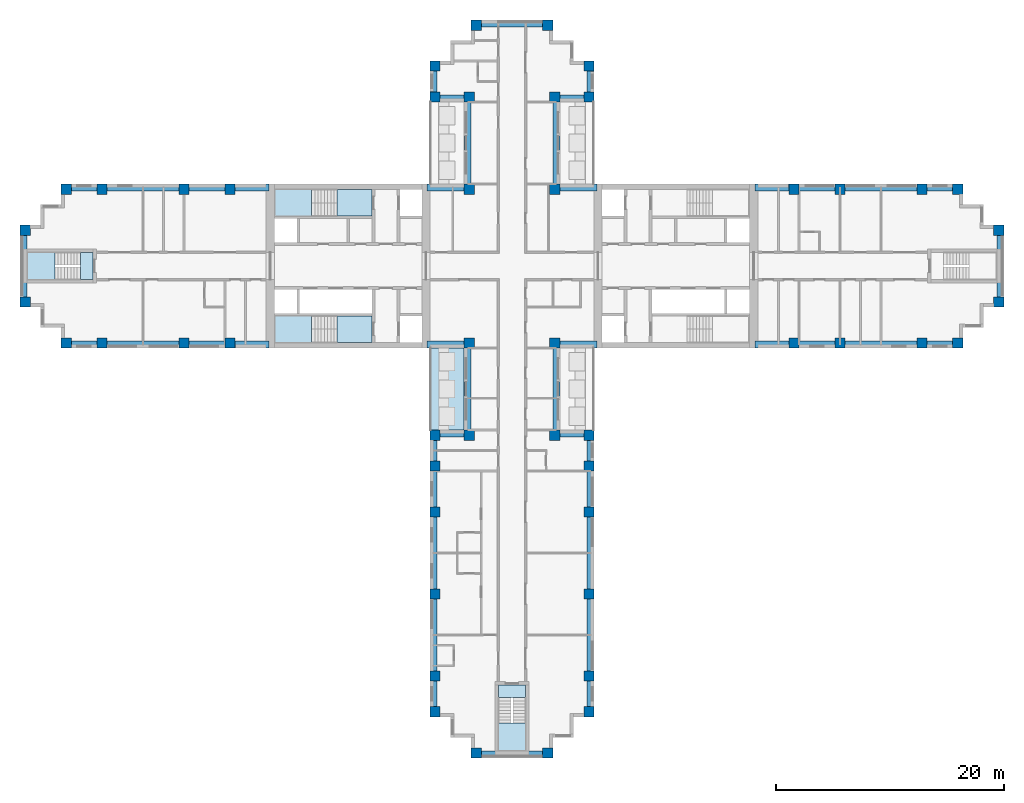
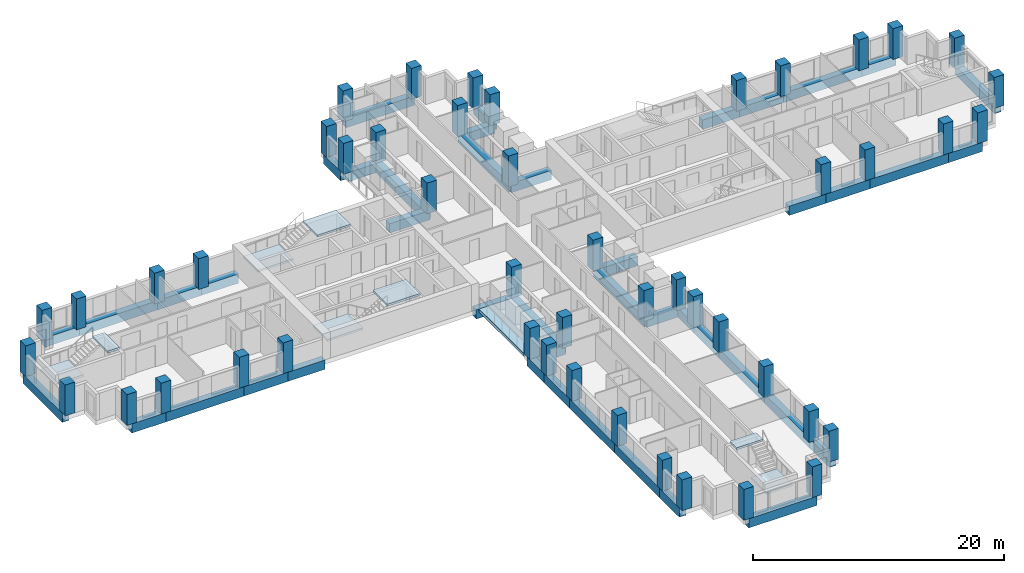
# One storey, part 1 of 13: 48 columns, 44 beams, 9 slabs, 4 elements without a shape of their own.
"""IFC4 building model written with IfcOpenShell, lengths in metres."""

from ifc_helpers import new_model, si_unit, direction, frame, origin, origin_2d, place, context, subcontext, project, spatial, polyline, rectangle, outline, extrude, material, layer, layer_set, material_profile, profile_set, type_object, element, aggregate, save


model = new_model("IFC4")

# Units and contexts
model_context = context("Model", 3, precision=1e-05, world=origin(), true_north=direction((0.0, 1.0)))
body_context = subcontext(model_context, "Body", "Model", "MODEL_VIEW")
ifc_project = project(units=[si_unit("LENGTHUNIT", "METRE"), si_unit("AREAUNIT", "SQUARE_METRE"), si_unit("VOLUMEUNIT", "CUBIC_METRE"), si_unit("PLANEANGLEUNIT", "RADIAN"), si_unit("MASSUNIT", "GRAM", prefix="KILO")], contexts=[model_context])

# Site, building, storey
site_placement = place(None, origin())
site = spatial("IfcSite", under=ifc_project, at=site_placement, CompositionType="ELEMENT")
building_placement = place(site_placement, origin())
building = spatial("IfcBuilding", under=site, at=building_placement, Name="Fustian Cross Tower", CompositionType="ELEMENT")
storey_placement = place(building_placement, frame((0.0, 0.0, 75.89990234375)))
storey = spatial("IfcBuildingStorey", under=building, at=storey_placement, Name="L23", CompositionType="ELEMENT", Elevation=75.89990234375)

# Columns
ifc_material_1 = material(Name="Concrete C60/75", Category="concrete")
ifc_material_profile_1 = material_profile(ifc_material_1, rectangle(XDim=0.89990234375, YDim=0.89990234375, at=origin_2d()), Name="RC 900x900")
ifc_profile_set_1 = profile_set([ifc_material_profile_1], Name="Concrete C60/75")
column_type = type_object("IfcColumnType", Name="COLUMN RC 900x900 C60/75", PredefinedType="COLUMN", material=ifc_profile_set_1)
for number, where, z_axis, x_axis, name in (
    (1, (-42.75, -3.14990234375, 0.0), (0.0, 0.0, 1.0), (1.0, 0.0, 0.0), "COLUMN 001"),
    (2, (-42.75, 3.14990234375, 0.0), (0.0, 0.0, 1.0), (1.0, 0.0, 0.0), "COLUMN 002"),
    (3, (-39.14990234375, -6.75, 0.0), (0.0, 0.0, 1.0), (1.0, 0.0, 0.0), "COLUMN 003"),
    (4, (-39.14990234375, 6.75, 0.0), (0.0, 0.0, 1.0), (1.0, 0.0, 0.0), "COLUMN 004"),
    (5, (-36.0, -6.75, 0.0), (0.0, 0.0, 1.0), (1.0, 0.0, 0.0), "COLUMN 005"),
    (6, (-36.0, 6.75, 0.0), (0.0, 0.0, 1.0), (1.0, 0.0, 0.0), "COLUMN 006"),
    (7, (-28.800048828125, -6.75, 0.0), (0.0, 0.0, 1.0), (1.0, 0.0, 0.0), "COLUMN 007"),
    (8, (-28.800048828125, 6.75, 0.0), (0.0, 0.0, 1.0), (1.0, 0.0, 0.0), "COLUMN 010"),
    (9, (-24.75, -6.75, 0.0), (0.0, 0.0, 1.0), (1.0, 0.0, 0.0), "COLUMN 011"),
    (10, (-24.75, 6.75, 0.0), (0.0, 0.0, 1.0), (1.0, 0.0, 0.0), "COLUMN 012"),
    (11, (-6.75, -39.14990234375, 0.0), (0.0, 0.0, 1.0), (1.0, 0.0, 0.0), "COLUMN 013"),
    (12, (-6.75, -36.0, 0.0), (0.0, 0.0, 1.0), (1.0, 0.0, 0.0), "COLUMN 014"),
    (13, (-6.75, -28.800048828125, 0.0), (0.0, 0.0, 1.0), (1.0, 0.0, 0.0), "COLUMN 015"),
    (14, (-6.75, -21.60009765625, 0.0), (0.0, 0.0, 1.0), (1.0, 0.0, 0.0), "COLUMN 016"),
    (15, (-6.75, -17.550048828125, 0.0), (0.0, 0.0, 1.0), (1.0, 0.0, 0.0), "COLUMN 017"),
    (16, (-6.75, -14.85009765625, 0.0), (0.0, 0.0, 1.0), (1.0, 0.0, 0.0), "COLUMN 018"),
    (17, (-6.75, 14.85009765625, 0.0), (0.0, 0.0, 1.0), (1.0, 0.0, 0.0), "COLUMN 019"),
    (18, (-6.75, 17.550048828125, 0.0), (0.0, 0.0, 1.0), (1.0, 0.0, 0.0), "COLUMN 020"),
    (19, (-3.75, -14.85009765625, 0.0), (0.0, 0.0, 1.0), (1.0, 0.0, 0.0), "COLUMN 025"),
    (20, (-3.75, -6.75, 0.0), (0.0, 0.0, 1.0), (1.0, 0.0, 0.0), "COLUMN 026"),
    (21, (-3.75, 6.75, 0.0), (0.0, 0.0, 1.0), (1.0, 0.0, 0.0), "COLUMN 027"),
    (22, (-3.75, 14.85009765625, 0.0), (0.0, 0.0, 1.0), (1.0, 0.0, 0.0), "COLUMN 028"),
    (23, (-3.14990234375, -42.75, 0.0), (0.0, 0.0, 1.0), (1.0, 0.0, 0.0), "COLUMN 029"),
    (24, (-3.14990234375, 21.14990234375, 0.0), (0.0, 0.0, 1.0), (1.0, 0.0, 0.0), "COLUMN 031"),
    (25, (3.14990234375, -42.75, 0.0), (0.0, 0.0, 1.0), (1.0, 0.0, 0.0), "COLUMN 033"),
    (26, (3.14990234375, 21.14990234375, 0.0), (0.0, 0.0, 1.0), (1.0, 0.0, 0.0), "COLUMN 035"),
    (27, (3.75, -14.85009765625, 0.0), (0.0, 0.0, 1.0), (1.0, 0.0, 0.0), "COLUMN 037"),
    (28, (3.75, -6.75, 0.0), (0.0, 0.0, 1.0), (1.0, 0.0, 0.0), "COLUMN 038"),
    (29, (3.75, 6.75, 0.0), (0.0, 0.0, 1.0), (1.0, 0.0, 0.0), "COLUMN 039"),
    (30, (3.75, 14.85009765625, 0.0), (0.0, 0.0, 1.0), (1.0, 0.0, 0.0), "COLUMN 040"),
    (31, (6.75, -39.14990234375, 0.0), (0.0, 0.0, 1.0), (1.0, 0.0, 0.0), "COLUMN 041"),
    (32, (6.75, -36.0, 0.0), (0.0, 0.0, 1.0), (1.0, 0.0, 0.0), "COLUMN 042"),
    (33, (6.75, -28.800048828125, 0.0), (0.0, 0.0, 1.0), (1.0, 0.0, 0.0), "COLUMN 043"),
    (34, (6.75, -21.60009765625, 0.0), (0.0, 0.0, 1.0), (1.0, 0.0, 0.0), "COLUMN 044"),
    (35, (6.75, -17.550048828125, 0.0), (0.0, 0.0, 1.0), (1.0, 0.0, 0.0), "COLUMN 045"),
    (36, (6.75, -14.85009765625, 0.0), (0.0, 0.0, 1.0), (1.0, 0.0, 0.0), "COLUMN 046"),
    (37, (6.75, 14.85009765625, 0.0), (0.0, 0.0, 1.0), (1.0, 0.0, 0.0), "COLUMN 047"),
    (38, (6.75, 17.550048828125, 0.0), (0.0, 0.0, 1.0), (1.0, 0.0, 0.0), "COLUMN 048"),
    (39, (24.75, -6.75, 0.0), (0.0, 0.0, 1.0), (1.0, 0.0, 0.0), "COLUMN 053"),
    (40, (24.75, 6.75, 0.0), (0.0, 0.0, 1.0), (1.0, 0.0, 0.0), "COLUMN 054"),
    (41, (28.800048828125, -6.75, 0.0), (0.0, 0.0, 1.0), (1.0, 0.0, 0.0), "COLUMN 055"),
    (42, (28.800048828125, 6.75, 0.0), (0.0, 0.0, 1.0), (1.0, 0.0, 0.0), "COLUMN 058"),
    (43, (36.0, -6.75, 0.0), (0.0, 0.0, 1.0), (1.0, 0.0, 0.0), "COLUMN 059"),
    (44, (36.0, 6.75, 0.0), (0.0, 0.0, 1.0), (1.0, 0.0, 0.0), "COLUMN 060"),
    (45, (39.14990234375, -6.75, 0.0), (0.0, 0.0, 1.0), (1.0, 0.0, 0.0), "COLUMN 061"),
    (46, (39.14990234375, 6.75, 0.0), (0.0, 0.0, 1.0), (1.0, 0.0, 0.0), "COLUMN 062"),
    (47, (42.75, -3.14990234375, 0.0), (0.0, 0.0, 1.0), (1.0, 0.0, 0.0), "COLUMN 063"),
    (48, (42.75, 3.14990234375, 0.0), (0.0, 0.0, 1.0), (1.0, 0.0, 0.0), "COLUMN 064"),
):
    element("IfcColumn", number, at=place(storey_placement, frame(where, z_axis=z_axis, x_axis=x_axis)), inside=storey, type_object=column_type, Name=name, PredefinedType="COLUMN", context=body_context, shape_type="SweptSolid", body=[
        extrude(rectangle(XDim=0.89990234375, YDim=0.89990234375, at=origin_2d()), origin(), (0.0, 0.0, 1.0), 3.0),
    ])

# Beams
ifc_material_2 = material(Name="Concrete C50/60", Category="concrete")
ifc_material_profile_2 = material_profile(ifc_material_2, rectangle(XDim=0.60009765625, YDim=0.89990234375, at=origin_2d()), Name="RC 600x900")
ifc_profile_set_2 = profile_set([ifc_material_profile_2], Name="Concrete C50/60")
beam_type = type_object("IfcBeamType", Name="EDGE BEAM RC 600x900 C50/60", PredefinedType="SPANDREL", material=ifc_profile_set_2)
beam_1_placement = place(storey_placement, frame((21.35009765625, -6.89990234375, -0.449951171875), z_axis=(1.0, 0.0, 0.0), x_axis=(0.0, 1.0, 0.0)))
element("IfcBeam", 49, at=beam_1_placement, inside=storey, type_object=beam_type, Name="EDGE BEAM L23-01", PredefinedType="SPANDREL", context=body_context, shape_type="SweptSolid", body=[
    extrude(rectangle(XDim=0.60009765625, YDim=0.89990234375, at=origin_2d()), origin(), (0.0, 0.0, 1.0), 3.39990234375),
])
beam_2_placement = place(storey_placement, frame((24.75, -6.89990234375, -0.449951171875), z_axis=(1.0, 0.0, 0.0), x_axis=(0.0, 1.0, 0.0)))
element("IfcBeam", 50, at=beam_2_placement, inside=storey, type_object=beam_type, Name="EDGE BEAM L23-02", PredefinedType="SPANDREL", context=body_context, shape_type="SweptSolid", body=[
    extrude(rectangle(XDim=0.60009765625, YDim=0.89990234375, at=origin_2d()), origin(), (0.0, 0.0, 1.0), 4.050048828125),
])
beam_3_placement = place(storey_placement, frame((28.800048828125, -6.89990234375, -0.449951171875), z_axis=(1.0, 0.0, 0.0), x_axis=(0.0, 1.0, 0.0)))
element("IfcBeam", 51, at=beam_3_placement, inside=storey, type_object=beam_type, Name="EDGE BEAM L23-03", PredefinedType="SPANDREL", context=body_context, shape_type="SweptSolid", body=[
    extrude(rectangle(XDim=0.60009765625, YDim=0.89990234375, at=origin_2d()), origin(), (0.0, 0.0, 1.0), 7.199951171875),
])
beam_4_placement = place(storey_placement, frame((36.0, -6.89990234375, -0.449951171875), z_axis=(1.0, 0.0, 0.0), x_axis=(0.0, 1.0, 0.0)))
element("IfcBeam", 52, at=beam_4_placement, inside=storey, type_object=beam_type, Name="EDGE BEAM L23-04", PredefinedType="SPANDREL", context=body_context, shape_type="SweptSolid", body=[
    extrude(rectangle(XDim=0.60009765625, YDim=0.89990234375, at=origin_2d()), origin(), (0.0, 0.0, 1.0), 3.14990234375),
])
beam_5_placement = place(storey_placement, frame((42.89990234375, -3.14990234375, -0.449951171875), z_axis=(0.0, 1.0, 0.0), x_axis=(-1.0, 0.0, 0.0)))
element("IfcBeam", 53, at=beam_5_placement, inside=storey, type_object=beam_type, Name="EDGE BEAM L23-05", PredefinedType="SPANDREL", context=body_context, shape_type="SweptSolid", body=[
    extrude(rectangle(XDim=0.60009765625, YDim=0.89990234375, at=origin_2d()), origin(), (0.0, 0.0, 1.0), 6.2998046875),
])
beam_6_placement = place(storey_placement, frame((39.14990234375, 6.89990234375, -0.449951171875), z_axis=(-1.0, 0.0, 0.0), x_axis=(0.0, -1.0, 0.0)))
element("IfcBeam", 54, at=beam_6_placement, inside=storey, type_object=beam_type, Name="EDGE BEAM L23-06", PredefinedType="SPANDREL", context=body_context, shape_type="SweptSolid", body=[
    extrude(rectangle(XDim=0.60009765625, YDim=0.89990234375, at=origin_2d()), origin(), (0.0, 0.0, 1.0), 3.14990234375),
])
beam_7_placement = place(storey_placement, frame((36.0, 6.89990234375, -0.449951171875), z_axis=(-1.0, 0.0, 0.0), x_axis=(0.0, -1.0, 0.0)))
element("IfcBeam", 55, at=beam_7_placement, inside=storey, type_object=beam_type, Name="EDGE BEAM L23-07", PredefinedType="SPANDREL", context=body_context, shape_type="SweptSolid", body=[
    extrude(rectangle(XDim=0.60009765625, YDim=0.89990234375, at=origin_2d()), origin(), (0.0, 0.0, 1.0), 7.199951171875),
])
beam_8_placement = place(storey_placement, frame((28.800048828125, 6.89990234375, -0.449951171875), z_axis=(-1.0, 0.0, 0.0), x_axis=(0.0, -1.0, 0.0)))
element("IfcBeam", 56, at=beam_8_placement, inside=storey, type_object=beam_type, Name="EDGE BEAM L23-08", PredefinedType="SPANDREL", context=body_context, shape_type="SweptSolid", body=[
    extrude(rectangle(XDim=0.60009765625, YDim=0.89990234375, at=origin_2d()), origin(), (0.0, 0.0, 1.0), 4.050048828125),
])
beam_9_placement = place(storey_placement, frame((24.75, 6.89990234375, -0.449951171875), z_axis=(-1.0, 0.0, 0.0), x_axis=(0.0, -1.0, 0.0)))
element("IfcBeam", 57, at=beam_9_placement, inside=storey, type_object=beam_type, Name="EDGE BEAM L23-09", PredefinedType="SPANDREL", context=body_context, shape_type="SweptSolid", body=[
    extrude(rectangle(XDim=0.60009765625, YDim=0.89990234375, at=origin_2d()), origin(), (0.0, 0.0, 1.0), 3.39990234375),
])
beam_10_placement = place(storey_placement, frame((7.449951171875, 6.89990234375, -0.449951171875), z_axis=(-1.0, 0.0, 0.0), x_axis=(0.0, -1.0, 0.0)))
element("IfcBeam", 58, at=beam_10_placement, inside=storey, type_object=beam_type, Name="EDGE BEAM L23-10", PredefinedType="SPANDREL", context=body_context, shape_type="SweptSolid", body=[
    extrude(rectangle(XDim=0.60009765625, YDim=0.89990234375, at=origin_2d()), origin(), (0.0, 0.0, 1.0), 3.699951171875),
])
beam_11_placement = place(storey_placement, frame((3.89990234375, 6.75, -0.449951171875), z_axis=(0.0, 1.0, 0.0), x_axis=(-1.0, 0.0, 0.0)))
element("IfcBeam", 59, at=beam_11_placement, inside=storey, type_object=beam_type, Name="EDGE BEAM L23-11", PredefinedType="SPANDREL", context=body_context, shape_type="SweptSolid", body=[
    extrude(rectangle(XDim=0.60009765625, YDim=0.89990234375, at=origin_2d()), origin(), (0.0, 0.0, 1.0), 8.10009765625),
])
beam_12_placement = place(storey_placement, frame((3.75, 14.699951171875, -0.449951171875), z_axis=(1.0, 0.0, 0.0), x_axis=(0.0, 1.0, 0.0)))
element("IfcBeam", 60, at=beam_12_placement, inside=storey, type_object=beam_type, Name="EDGE BEAM L23-12", PredefinedType="SPANDREL", context=body_context, shape_type="SweptSolid", body=[
    extrude(rectangle(XDim=0.60009765625, YDim=0.89990234375, at=origin_2d()), origin(), (0.0, 0.0, 1.0), 3.0),
])
beam_13_placement = place(storey_placement, frame((6.89990234375, 14.85009765625, -0.449951171875), z_axis=(0.0, 1.0, 0.0), x_axis=(-1.0, 0.0, 0.0)))
element("IfcBeam", 61, at=beam_13_placement, inside=storey, type_object=beam_type, Name="EDGE BEAM L23-13", PredefinedType="SPANDREL", context=body_context, shape_type="SweptSolid", body=[
    extrude(rectangle(XDim=0.60009765625, YDim=0.89990234375, at=origin_2d()), origin(), (0.0, 0.0, 1.0), 2.699951171875),
])
beam_14_placement = place(storey_placement, frame((3.14990234375, 21.300048828125, -0.449951171875), z_axis=(-1.0, 0.0, 0.0), x_axis=(0.0, -1.0, 0.0)))
element("IfcBeam", 62, at=beam_14_placement, inside=storey, type_object=beam_type, Name="EDGE BEAM L23-14", PredefinedType="SPANDREL", context=body_context, shape_type="SweptSolid", body=[
    extrude(rectangle(XDim=0.60009765625, YDim=0.89990234375, at=origin_2d()), origin(), (0.0, 0.0, 1.0), 6.2998046875),
])
beam_15_placement = place(storey_placement, frame((-6.89990234375, 17.550048828125, -0.449951171875), z_axis=(0.0, -1.0, 0.0), x_axis=(1.0, 0.0, 0.0)))
element("IfcBeam", 63, at=beam_15_placement, inside=storey, type_object=beam_type, Name="EDGE BEAM L23-15", PredefinedType="SPANDREL", context=body_context, shape_type="SweptSolid", body=[
    extrude(rectangle(XDim=0.60009765625, YDim=0.89990234375, at=origin_2d()), origin(), (0.0, 0.0, 1.0), 2.699951171875),
])
beam_16_placement = place(storey_placement, frame((-6.75, 14.699951171875, -0.449951171875), z_axis=(1.0, 0.0, 0.0), x_axis=(0.0, 1.0, 0.0)))
element("IfcBeam", 64, at=beam_16_placement, inside=storey, type_object=beam_type, Name="EDGE BEAM L23-16", PredefinedType="SPANDREL", context=body_context, shape_type="SweptSolid", body=[
    extrude(rectangle(XDim=0.60009765625, YDim=0.89990234375, at=origin_2d()), origin(), (0.0, 0.0, 1.0), 3.0),
])
beam_17_placement = place(storey_placement, frame((-3.89990234375, 14.85009765625, -0.449951171875), z_axis=(0.0, -1.0, 0.0), x_axis=(1.0, 0.0, 0.0)))
element("IfcBeam", 65, at=beam_17_placement, inside=storey, type_object=beam_type, Name="EDGE BEAM L23-17", PredefinedType="SPANDREL", context=body_context, shape_type="SweptSolid", body=[
    extrude(rectangle(XDim=0.60009765625, YDim=0.89990234375, at=origin_2d()), origin(), (0.0, 0.0, 1.0), 8.10009765625),
])
beam_18_placement = place(storey_placement, frame((-3.75, 6.89990234375, -0.449951171875), z_axis=(-1.0, 0.0, 0.0), x_axis=(0.0, -1.0, 0.0)))
element("IfcBeam", 66, at=beam_18_placement, inside=storey, type_object=beam_type, Name="EDGE BEAM L23-18", PredefinedType="SPANDREL", context=body_context, shape_type="SweptSolid", body=[
    extrude(rectangle(XDim=0.60009765625, YDim=0.89990234375, at=origin_2d()), origin(), (0.0, 0.0, 1.0), 3.699951171875),
])
beam_19_placement = place(storey_placement, frame((-21.35009765625, 6.89990234375, -0.449951171875), z_axis=(-1.0, 0.0, 0.0), x_axis=(0.0, -1.0, 0.0)))
element("IfcBeam", 67, at=beam_19_placement, inside=storey, type_object=beam_type, Name="EDGE BEAM L23-19", PredefinedType="SPANDREL", context=body_context, shape_type="SweptSolid", body=[
    extrude(rectangle(XDim=0.60009765625, YDim=0.89990234375, at=origin_2d()), origin(), (0.0, 0.0, 1.0), 3.39990234375),
])
beam_20_placement = place(storey_placement, frame((-24.75, 6.89990234375, -0.449951171875), z_axis=(-1.0, 0.0, 0.0), x_axis=(0.0, -1.0, 0.0)))
element("IfcBeam", 68, at=beam_20_placement, inside=storey, type_object=beam_type, Name="EDGE BEAM L23-20", PredefinedType="SPANDREL", context=body_context, shape_type="SweptSolid", body=[
    extrude(rectangle(XDim=0.60009765625, YDim=0.89990234375, at=origin_2d()), origin(), (0.0, 0.0, 1.0), 4.050048828125),
])
beam_21_placement = place(storey_placement, frame((-28.800048828125, 6.89990234375, -0.449951171875), z_axis=(-1.0, 0.0, 0.0), x_axis=(0.0, -1.0, 0.0)))
element("IfcBeam", 69, at=beam_21_placement, inside=storey, type_object=beam_type, Name="EDGE BEAM L23-21", PredefinedType="SPANDREL", context=body_context, shape_type="SweptSolid", body=[
    extrude(rectangle(XDim=0.60009765625, YDim=0.89990234375, at=origin_2d()), origin(), (0.0, 0.0, 1.0), 7.199951171875),
])
beam_22_placement = place(storey_placement, frame((-36.0, 6.89990234375, -0.449951171875), z_axis=(-1.0, 0.0, 0.0), x_axis=(0.0, -1.0, 0.0)))
element("IfcBeam", 70, at=beam_22_placement, inside=storey, type_object=beam_type, Name="EDGE BEAM L23-22", PredefinedType="SPANDREL", context=body_context, shape_type="SweptSolid", body=[
    extrude(rectangle(XDim=0.60009765625, YDim=0.89990234375, at=origin_2d()), origin(), (0.0, 0.0, 1.0), 3.14990234375),
])
beam_23_placement = place(storey_placement, frame((-42.89990234375, 3.14990234375, -0.449951171875), z_axis=(0.0, -1.0, 0.0), x_axis=(1.0, 0.0, 0.0)))
element("IfcBeam", 71, at=beam_23_placement, inside=storey, type_object=beam_type, Name="EDGE BEAM L23-23", PredefinedType="SPANDREL", context=body_context, shape_type="SweptSolid", body=[
    extrude(rectangle(XDim=0.60009765625, YDim=0.89990234375, at=origin_2d()), origin(), (0.0, 0.0, 1.0), 6.2998046875),
])
beam_24_placement = place(storey_placement, frame((-39.14990234375, -6.89990234375, -0.449951171875), z_axis=(1.0, 0.0, 0.0), x_axis=(0.0, 1.0, 0.0)))
element("IfcBeam", 72, at=beam_24_placement, inside=storey, type_object=beam_type, Name="EDGE BEAM L23-24", PredefinedType="SPANDREL", context=body_context, shape_type="SweptSolid", body=[
    extrude(rectangle(XDim=0.60009765625, YDim=0.89990234375, at=origin_2d()), origin(), (0.0, 0.0, 1.0), 3.14990234375),
])
beam_25_placement = place(storey_placement, frame((-36.0, -6.89990234375, -0.449951171875), z_axis=(1.0, 0.0, 0.0), x_axis=(0.0, 1.0, 0.0)))
element("IfcBeam", 73, at=beam_25_placement, inside=storey, type_object=beam_type, Name="EDGE BEAM L23-25", PredefinedType="SPANDREL", context=body_context, shape_type="SweptSolid", body=[
    extrude(rectangle(XDim=0.60009765625, YDim=0.89990234375, at=origin_2d()), origin(), (0.0, 0.0, 1.0), 7.199951171875),
])
beam_26_placement = place(storey_placement, frame((-28.800048828125, -6.89990234375, -0.449951171875), z_axis=(1.0, 0.0, 0.0), x_axis=(0.0, 1.0, 0.0)))
element("IfcBeam", 74, at=beam_26_placement, inside=storey, type_object=beam_type, Name="EDGE BEAM L23-26", PredefinedType="SPANDREL", context=body_context, shape_type="SweptSolid", body=[
    extrude(rectangle(XDim=0.60009765625, YDim=0.89990234375, at=origin_2d()), origin(), (0.0, 0.0, 1.0), 4.050048828125),
])
beam_27_placement = place(storey_placement, frame((-24.75, -6.89990234375, -0.449951171875), z_axis=(1.0, 0.0, 0.0), x_axis=(0.0, 1.0, 0.0)))
element("IfcBeam", 75, at=beam_27_placement, inside=storey, type_object=beam_type, Name="EDGE BEAM L23-27", PredefinedType="SPANDREL", context=body_context, shape_type="SweptSolid", body=[
    extrude(rectangle(XDim=0.60009765625, YDim=0.89990234375, at=origin_2d()), origin(), (0.0, 0.0, 1.0), 3.39990234375),
])
beam_28_placement = place(storey_placement, frame((-7.449951171875, -6.89990234375, -0.449951171875), z_axis=(1.0, 0.0, 0.0), x_axis=(0.0, 1.0, 0.0)))
element("IfcBeam", 76, at=beam_28_placement, inside=storey, type_object=beam_type, Name="EDGE BEAM L23-28", PredefinedType="SPANDREL", context=body_context, shape_type="SweptSolid", body=[
    extrude(rectangle(XDim=0.60009765625, YDim=0.89990234375, at=origin_2d()), origin(), (0.0, 0.0, 1.0), 3.699951171875),
])
beam_29_placement = place(storey_placement, frame((-3.89990234375, -6.75, -0.449951171875), z_axis=(0.0, -1.0, 0.0), x_axis=(1.0, 0.0, 0.0)))
element("IfcBeam", 77, at=beam_29_placement, inside=storey, type_object=beam_type, Name="EDGE BEAM L23-29", PredefinedType="SPANDREL", context=body_context, shape_type="SweptSolid", body=[
    extrude(rectangle(XDim=0.60009765625, YDim=0.89990234375, at=origin_2d()), origin(), (0.0, 0.0, 1.0), 8.10009765625),
])
beam_30_placement = place(storey_placement, frame((-3.75, -14.699951171875, -0.449951171875), z_axis=(-1.0, 0.0, 0.0), x_axis=(0.0, -1.0, 0.0)))
element("IfcBeam", 78, at=beam_30_placement, inside=storey, type_object=beam_type, Name="EDGE BEAM L23-30", PredefinedType="SPANDREL", context=body_context, shape_type="SweptSolid", body=[
    extrude(rectangle(XDim=0.60009765625, YDim=0.89990234375, at=origin_2d()), origin(), (0.0, 0.0, 1.0), 3.0),
])
beam_31_placement = place(storey_placement, frame((-6.89990234375, -14.85009765625, -0.449951171875), z_axis=(0.0, -1.0, 0.0), x_axis=(1.0, 0.0, 0.0)))
element("IfcBeam", 79, at=beam_31_placement, inside=storey, type_object=beam_type, Name="EDGE BEAM L23-31", PredefinedType="SPANDREL", context=body_context, shape_type="SweptSolid", body=[
    extrude(rectangle(XDim=0.60009765625, YDim=0.89990234375, at=origin_2d()), origin(), (0.0, 0.0, 1.0), 2.699951171875),
])
beam_32_placement = place(storey_placement, frame((-6.89990234375, -17.550048828125, -0.449951171875), z_axis=(0.0, -1.0, 0.0), x_axis=(1.0, 0.0, 0.0)))
element("IfcBeam", 80, at=beam_32_placement, inside=storey, type_object=beam_type, Name="EDGE BEAM L23-32", PredefinedType="SPANDREL", context=body_context, shape_type="SweptSolid", body=[
    extrude(rectangle(XDim=0.60009765625, YDim=0.89990234375, at=origin_2d()), origin(), (0.0, 0.0, 1.0), 4.050048828125),
])
for number, where, z_axis, x_axis, name in (
    (81, (-6.89990234375, -21.60009765625, -0.449951171875), (0.0, -1.0, 0.0), (1.0, 0.0, 0.0), "EDGE BEAM L23-33"),
    (82, (-6.89990234375, -28.800048828125, -0.449951171875), (0.0, -1.0, 0.0), (1.0, 0.0, 0.0), "EDGE BEAM L23-34"),
):
    element("IfcBeam", number, at=place(storey_placement, frame(where, z_axis=z_axis, x_axis=x_axis)), inside=storey, type_object=beam_type, Name=name, PredefinedType="SPANDREL", context=body_context, shape_type="SweptSolid", body=[
        extrude(rectangle(XDim=0.60009765625, YDim=0.89990234375, at=origin_2d()), origin(), (0.0, 0.0, 1.0), 7.199951171875),
    ])
beam_33_placement = place(storey_placement, frame((-6.89990234375, -36.0, -0.449951171875), z_axis=(0.0, -1.0, 0.0), x_axis=(1.0, 0.0, 0.0)))
element("IfcBeam", 83, at=beam_33_placement, inside=storey, type_object=beam_type, Name="EDGE BEAM L23-35", PredefinedType="SPANDREL", context=body_context, shape_type="SweptSolid", body=[
    extrude(rectangle(XDim=0.60009765625, YDim=0.89990234375, at=origin_2d()), origin(), (0.0, 0.0, 1.0), 3.14990234375),
])
beam_34_placement = place(storey_placement, frame((-3.14990234375, -42.89990234375, -0.449951171875), z_axis=(1.0, 0.0, 0.0), x_axis=(0.0, 1.0, 0.0)))
element("IfcBeam", 84, at=beam_34_placement, inside=storey, type_object=beam_type, Name="EDGE BEAM L23-36", PredefinedType="SPANDREL", context=body_context, shape_type="SweptSolid", body=[
    extrude(rectangle(XDim=0.60009765625, YDim=0.89990234375, at=origin_2d()), origin(), (0.0, 0.0, 1.0), 6.2998046875),
])
beam_35_placement = place(storey_placement, frame((6.89990234375, -39.14990234375, -0.449951171875), z_axis=(0.0, 1.0, 0.0), x_axis=(-1.0, 0.0, 0.0)))
element("IfcBeam", 85, at=beam_35_placement, inside=storey, type_object=beam_type, Name="EDGE BEAM L23-37", PredefinedType="SPANDREL", context=body_context, shape_type="SweptSolid", body=[
    extrude(rectangle(XDim=0.60009765625, YDim=0.89990234375, at=origin_2d()), origin(), (0.0, 0.0, 1.0), 3.14990234375),
])
for number, where, z_axis, x_axis, name in (
    (86, (6.89990234375, -36.0, -0.449951171875), (0.0, 1.0, 0.0), (-1.0, 0.0, 0.0), "EDGE BEAM L23-38"),
    (87, (6.89990234375, -28.800048828125, -0.449951171875), (0.0, 1.0, 0.0), (-1.0, 0.0, 0.0), "EDGE BEAM L23-39"),
):
    element("IfcBeam", number, at=place(storey_placement, frame(where, z_axis=z_axis, x_axis=x_axis)), inside=storey, type_object=beam_type, Name=name, PredefinedType="SPANDREL", context=body_context, shape_type="SweptSolid", body=[
        extrude(rectangle(XDim=0.60009765625, YDim=0.89990234375, at=origin_2d()), origin(), (0.0, 0.0, 1.0), 7.199951171875),
    ])
beam_36_placement = place(storey_placement, frame((6.89990234375, -21.60009765625, -0.449951171875), z_axis=(0.0, 1.0, 0.0), x_axis=(-1.0, 0.0, 0.0)))
element("IfcBeam", 88, at=beam_36_placement, inside=storey, type_object=beam_type, Name="EDGE BEAM L23-40", PredefinedType="SPANDREL", context=body_context, shape_type="SweptSolid", body=[
    extrude(rectangle(XDim=0.60009765625, YDim=0.89990234375, at=origin_2d()), origin(), (0.0, 0.0, 1.0), 4.050048828125),
])
beam_37_placement = place(storey_placement, frame((6.89990234375, -17.550048828125, -0.449951171875), z_axis=(0.0, 1.0, 0.0), x_axis=(-1.0, 0.0, 0.0)))
element("IfcBeam", 89, at=beam_37_placement, inside=storey, type_object=beam_type, Name="EDGE BEAM L23-41", PredefinedType="SPANDREL", context=body_context, shape_type="SweptSolid", body=[
    extrude(rectangle(XDim=0.60009765625, YDim=0.89990234375, at=origin_2d()), origin(), (0.0, 0.0, 1.0), 2.699951171875),
])
beam_38_placement = place(storey_placement, frame((6.75, -14.699951171875, -0.449951171875), z_axis=(-1.0, 0.0, 0.0), x_axis=(0.0, -1.0, 0.0)))
element("IfcBeam", 90, at=beam_38_placement, inside=storey, type_object=beam_type, Name="EDGE BEAM L23-42", PredefinedType="SPANDREL", context=body_context, shape_type="SweptSolid", body=[
    extrude(rectangle(XDim=0.60009765625, YDim=0.89990234375, at=origin_2d()), origin(), (0.0, 0.0, 1.0), 3.0),
])
beam_39_placement = place(storey_placement, frame((3.89990234375, -14.85009765625, -0.449951171875), z_axis=(0.0, 1.0, 0.0), x_axis=(-1.0, 0.0, 0.0)))
element("IfcBeam", 91, at=beam_39_placement, inside=storey, type_object=beam_type, Name="EDGE BEAM L23-43", PredefinedType="SPANDREL", context=body_context, shape_type="SweptSolid", body=[
    extrude(rectangle(XDim=0.60009765625, YDim=0.89990234375, at=origin_2d()), origin(), (0.0, 0.0, 1.0), 8.10009765625),
])
beam_40_placement = place(storey_placement, frame((3.75, -6.89990234375, -0.449951171875), z_axis=(1.0, 0.0, 0.0), x_axis=(0.0, 1.0, 0.0)))
element("IfcBeam", 92, at=beam_40_placement, inside=storey, type_object=beam_type, Name="EDGE BEAM L23-44", PredefinedType="SPANDREL", context=body_context, shape_type="SweptSolid", body=[
    extrude(rectangle(XDim=0.60009765625, YDim=0.89990234375, at=origin_2d()), origin(), (0.0, 0.0, 1.0), 3.699951171875),
])

# Slab
ifc_material_3 = material(Name="Concrete C40/50", Category="concrete")
ifc_layer_1 = layer(ifc_material_3, 0.300048828125)
ifc_layer_set_1 = layer_set([ifc_layer_1], Name="Concrete C40/50")
slab_type_1 = type_object("IfcSlabType", Name="BS1 BALCONY SLAB 300", PredefinedType="FLOOR", material=ifc_layer_set_1)
slab_1_placement = place(storey_placement, frame((0.0, 0.0, -0.2998046875)))
element("IfcSlab", 93, at=slab_1_placement, inside=storey, type_object=slab_type_1, Name="Balcony slab", PredefinedType="FLOOR", context=body_context, shape_type="SweptSolid", body=[
    extrude(outline(polyline([(-7.199951171875, -14.39990234375), (-4.199951171875, -14.39990234375), (-4.199951171875, -7.199951171875), (-7.199951171875, -7.199951171875), (-7.199951171875, -14.39990234375)])), origin(), (0.0, 0.0, 1.0), 0.2998046875),
])

# Stair, slabs
ifc_material_4 = material(Name="Concrete C50/60", Category="concrete")
stair_type_1 = type_object("IfcStairType", Name="STAIR 1150 HALF TURN", PredefinedType="HALF_TURN_STAIR", material=ifc_material_4)
stair_1_placement = place(storey_placement, origin())
stair_1 = element("IfcStair", 94, at=stair_1_placement, inside=storey, type_object=stair_type_1, Name="Stair ST3", PredefinedType="HALF_TURN_STAIR")
ifc_material_5 = material(Name="Concrete C50/60", Category="concrete")
ifc_layer_2 = layer(ifc_material_5, 0.199951171875)
ifc_layer_set_2 = layer_set([ifc_layer_2], Name="Concrete C50/60")
slab_type_2 = type_object("IfcSlabType", Name="STAIR LANDING", PredefinedType="LANDING", material=ifc_layer_set_2)
slab_2_placement = place(storey_placement, frame((0.0, 0.0, 1.300048828125)))
slab_2 = element("IfcSlab", 95, at=slab_2_placement, type_object=slab_type_2, Name="ST3 landing 1", PredefinedType="LANDING", context=body_context, shape_type="SweptSolid", body=[
    extrude(outline(polyline([(-17.590087890625, 4.39990234375), (-20.85009765625, 4.39990234375), (-20.85009765625, 6.699951171875), (-17.590087890625, 6.699951171875), (-17.590087890625, 4.39990234375)])), origin(), (0.0, 0.0, 1.0), 0.199951171875),
])
slab_3_placement = place(storey_placement, frame((0.0, 0.0, 2.800048828125)))
slab_3 = element("IfcSlab", 96, at=slab_3_placement, type_object=slab_type_2, Name="ST3 landing 2", PredefinedType="LANDING", context=body_context, shape_type="SweptSolid", body=[
    extrude(outline(polyline([(-12.300048828125, 4.39990234375), (-15.35009765625, 4.39990234375), (-15.35009765625, 6.699951171875), (-12.300048828125, 6.699951171875), (-12.300048828125, 4.39990234375)])), origin(), (0.0, 0.0, 1.0), 0.199951171875),
])
aggregate(stair_1, [slab_2, slab_3])

stair_2_placement = place(storey_placement, origin())
stair_2 = element("IfcStair", 97, at=stair_2_placement, inside=storey, type_object=stair_type_1, Name="Stair ST4", PredefinedType="HALF_TURN_STAIR")
slab_4_placement = place(storey_placement, frame((0.0, 0.0, 1.300048828125)))
slab_4 = element("IfcSlab", 98, at=slab_4_placement, type_object=slab_type_2, Name="ST4 landing 1", PredefinedType="LANDING", context=body_context, shape_type="SweptSolid", body=[
    extrude(outline(polyline([(-17.590087890625, -4.39990234375), (-20.85009765625, -4.39990234375), (-20.85009765625, -6.699951171875), (-17.590087890625, -6.699951171875), (-17.590087890625, -4.39990234375)])), origin(), (0.0, 0.0, 1.0), 0.199951171875),
])
slab_5_placement = place(storey_placement, frame((0.0, 0.0, 2.800048828125)))
slab_5 = element("IfcSlab", 99, at=slab_5_placement, type_object=slab_type_2, Name="ST4 landing 2", PredefinedType="LANDING", context=body_context, shape_type="SweptSolid", body=[
    extrude(outline(polyline([(-12.300048828125, -4.39990234375), (-15.35009765625, -4.39990234375), (-15.35009765625, -6.699951171875), (-12.300048828125, -6.699951171875), (-12.300048828125, -4.39990234375)])), origin(), (0.0, 0.0, 1.0), 0.199951171875),
])
aggregate(stair_2, [slab_4, slab_5])

ifc_material_6 = material(Name="Concrete C50/60", Category="concrete")
stair_type_2 = type_object("IfcStairType", Name="STAIR 1100 HALF TURN", PredefinedType="HALF_TURN_STAIR", material=ifc_material_6)
stair_3_placement = place(storey_placement, origin())
stair_3 = element("IfcStair", 100, at=stair_3_placement, inside=storey, type_object=stair_type_2, Name="Stair ST6", PredefinedType="HALF_TURN_STAIR")
slab_6_placement = place(storey_placement, frame((0.0, 0.0, 1.300048828125)))
slab_6 = element("IfcSlab", 101, at=slab_6_placement, type_object=slab_type_2, Name="ST6 landing 1", PredefinedType="LANDING", context=body_context, shape_type="SweptSolid", body=[
    extrude(outline(polyline([(-1.199951171875, -40.139892578125), (-1.199951171875, -42.60009765625), (1.199951171875, -42.60009765625), (1.199951171875, -40.139892578125), (-1.199951171875, -40.139892578125)])), origin(), (0.0, 0.0, 1.0), 0.199951171875),
])
slab_7_placement = place(storey_placement, frame((0.0, 0.0, 2.800048828125)))
slab_7 = element("IfcSlab", 102, at=slab_7_placement, type_object=slab_type_2, Name="ST6 landing 2", PredefinedType="LANDING", context=body_context, shape_type="SweptSolid", body=[
    extrude(outline(polyline([(-1.199951171875, -36.800048828125), (-1.199951171875, -37.89990234375), (1.199951171875, -37.89990234375), (1.199951171875, -36.800048828125), (-1.199951171875, -36.800048828125)])), origin(), (0.0, 0.0, 1.0), 0.199951171875),
])
aggregate(stair_3, [slab_6, slab_7])

stair_4_placement = place(storey_placement, origin())
stair_4 = element("IfcStair", 103, at=stair_4_placement, inside=storey, type_object=stair_type_2, Name="Stair ST9", PredefinedType="HALF_TURN_STAIR")
slab_8_placement = place(storey_placement, frame((0.0, 0.0, 1.300048828125)))
slab_8 = element("IfcSlab", 104, at=slab_8_placement, type_object=slab_type_2, Name="ST9 landing 1", PredefinedType="LANDING", context=body_context, shape_type="SweptSolid", body=[
    extrude(outline(polyline([(-40.139892578125, -1.199951171875), (-42.60009765625, -1.199951171875), (-42.60009765625, 1.199951171875), (-40.139892578125, 1.199951171875), (-40.139892578125, -1.199951171875)])), origin(), (0.0, 0.0, 1.0), 0.199951171875),
])
slab_9_placement = place(storey_placement, frame((0.0, 0.0, 2.800048828125)))
slab_9 = element("IfcSlab", 105, at=slab_9_placement, type_object=slab_type_2, Name="ST9 landing 2", PredefinedType="LANDING", context=body_context, shape_type="SweptSolid", body=[
    extrude(outline(polyline([(-36.800048828125, -1.199951171875), (-37.89990234375, -1.199951171875), (-37.89990234375, 1.199951171875), (-36.800048828125, 1.199951171875), (-36.800048828125, -1.199951171875)])), origin(), (0.0, 0.0, 1.0), 0.199951171875),
])
aggregate(stair_4, [slab_8, slab_9])

save(model, "model.ifc")
